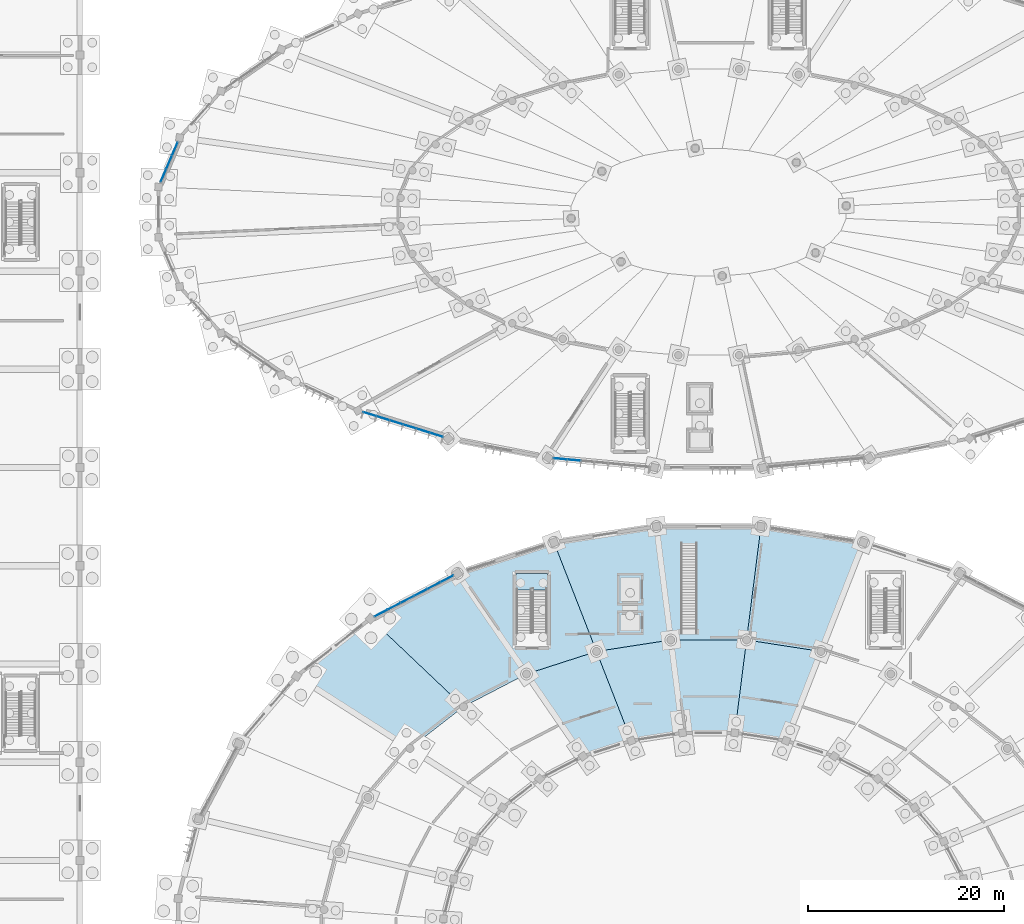
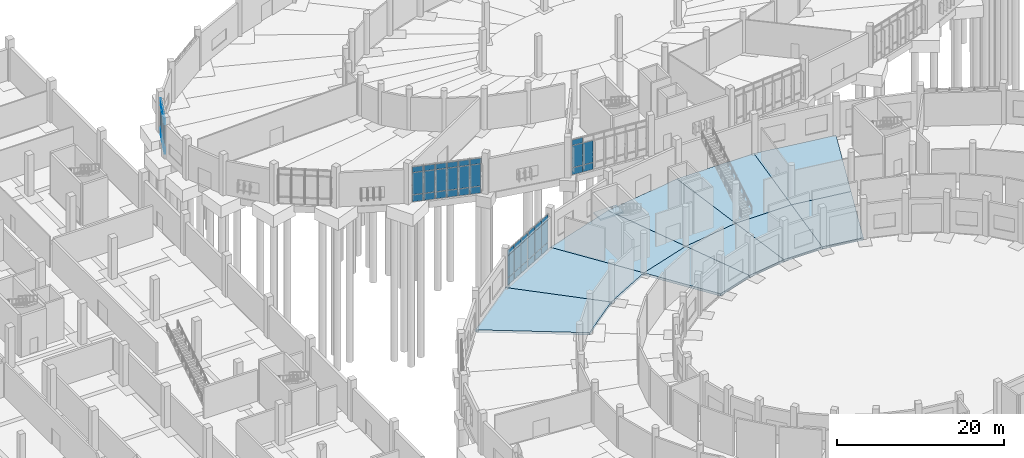
# One storey, part 60 of 140: 50 plates, 11 slabs, 5 elements without a shape of their own.
"""IFC4 building model written with IfcOpenShell, lengths in metres."""

from ifc_helpers import new_model, si_unit, direction, frame, origin, origin_2d, place, context, subcontext, project, spatial, polyline, rectangle, outline, extrude, material, layer, layer_set, type_object, element, aggregate, save


model = new_model("IFC4")

# Units and contexts
model_context = context("Model", 3, precision=1e-05, world=origin(), true_north=direction((0.0, 1.0)))
body_context = subcontext(model_context, "Body", "Model", "MODEL_VIEW")
ifc_project = project(units=[si_unit("LENGTHUNIT", "METRE"), si_unit("AREAUNIT", "SQUARE_METRE"), si_unit("VOLUMEUNIT", "CUBIC_METRE"), si_unit("PLANEANGLEUNIT", "RADIAN"), si_unit("MASSUNIT", "GRAM", prefix="KILO")], contexts=[model_context])

# Site, building, storey
site_placement = place(None, origin())
site = spatial("IfcSite", under=ifc_project, at=site_placement, CompositionType="ELEMENT")
building_placement = place(site_placement, origin())
building = spatial("IfcBuilding", under=site, at=building_placement, Name="Corvandel Quay Wholesale Market", CompositionType="ELEMENT")
storey_placement = place(building_placement, origin())
storey = spatial("IfcBuildingStorey", under=building, at=storey_placement, Name="L00", CompositionType="ELEMENT", Elevation=0.0)

# Curtain wall, plates
ifc_material_1 = material(Name="Bronze anodised aluminium and low-E insulated glazing", Category="aluminium")
ifc_layer_1 = layer(ifc_material_1, 0.174072265625)
ifc_layer_set_1 = layer_set([ifc_layer_1], Name="Bronze anodised aluminium and low-E insulated glazing")
curtain_wall_type_1 = type_object("IfcCurtainWallType", Name="Stick Curtain Wall System CW17 H4530", PredefinedType="NOTDEFINED", material=ifc_layer_set_1)
curtain_wall_1_placement = place(storey_placement, origin())
curtain_wall_1 = element("IfcCurtainWall", 1, at=curtain_wall_1_placement, inside=storey, type_object=curtain_wall_type_1, Name="Curtain Wall CW-0103", PredefinedType="NOTDEFINED")
ifc_material_2 = material(Name="Solar-control low-E insulated glazing", Category="glass")
ifc_layer_2 = layer(ifc_material_2, 0.033935546875)
ifc_layer_set_2 = layer_set([ifc_layer_2], Name="Solar-control low-E insulated glazing")
plate_type_1 = type_object("IfcPlateType", Name="Acoustic Laminated Vision Panel PN02 34mm", PredefinedType="CURTAIN_PANEL", material=ifc_layer_set_2)
plate_1_placement = place(storey_placement, frame((59.651611328125, 122.416015625, 0.0322265625), z_axis=(0.0, 0.0, 1.0), x_axis=(0.393781484212, 0.919204081089, 0.0)))
plate_1 = element("IfcPlate", 2, at=plate_1_placement, type_object=plate_type_1, Name="Glazing Panel CW-0103-P00-0", PredefinedType="CURTAIN_PANEL", context=body_context, shape_type="SweptSolid", body=[
    extrude(rectangle(XDim=1.396484375, YDim=0.033935546875, at=origin_2d()), origin(), (0.0, 0.0, 1.0), 0.985107421875),
])
plate_2_placement = place(storey_placement, frame((59.651611328125, 122.416015625, 1.08251953125), z_axis=(0.0, 0.0, 1.0), x_axis=(0.393781484212, 0.919204081089, 0.0)))
plate_2 = element("IfcPlate", 3, at=plate_2_placement, type_object=plate_type_1, Name="Glazing Panel CW-0103-P00-1", PredefinedType="CURTAIN_PANEL", context=body_context, shape_type="SweptSolid", body=[
    extrude(rectangle(XDim=1.396484375, YDim=0.033935546875, at=origin_2d()), origin(), (0.0, 0.0, 1.0), 3.18505859375),
])
plate_3_placement = place(storey_placement, frame((59.075927734375, 121.072509765625, 0.0322265625), z_axis=(0.0, 0.0, 1.0), x_axis=(0.393781484212, 0.919204081089, 0.0)))
plate_3 = element("IfcPlate", 4, at=plate_3_placement, type_object=plate_type_1, Name="Glazing Panel CW-0103-P01-0", PredefinedType="CURTAIN_PANEL", context=body_context, shape_type="SweptSolid", body=[
    extrude(rectangle(XDim=1.396484375, YDim=0.033935546875, at=origin_2d()), origin(), (0.0, 0.0, 1.0), 0.985107421875),
])
plate_4_placement = place(storey_placement, frame((59.075927734375, 121.072509765625, 1.08251953125), z_axis=(0.0, 0.0, 1.0), x_axis=(0.393781484212, 0.919204081089, 0.0)))
plate_4 = element("IfcPlate", 5, at=plate_4_placement, type_object=plate_type_1, Name="Glazing Panel CW-0103-P01-1", PredefinedType="CURTAIN_PANEL", context=body_context, shape_type="SweptSolid", body=[
    extrude(rectangle(XDim=1.396484375, YDim=0.033935546875, at=origin_2d()), origin(), (0.0, 0.0, 1.0), 3.18505859375),
])
plate_5_placement = place(storey_placement, frame((58.50048828125, 119.72900390625, 0.0322265625), z_axis=(0.0, 0.0, 1.0), x_axis=(0.393781484212, 0.919204081089, 0.0)))
plate_5 = element("IfcPlate", 6, at=plate_5_placement, type_object=plate_type_1, Name="Glazing Panel CW-0103-P02-0", PredefinedType="CURTAIN_PANEL", context=body_context, shape_type="SweptSolid", body=[
    extrude(rectangle(XDim=1.396484375, YDim=0.033935546875, at=origin_2d()), origin(), (0.0, 0.0, 1.0), 0.985107421875),
])
plate_6_placement = place(storey_placement, frame((58.50048828125, 119.72900390625, 1.08251953125), z_axis=(0.0, 0.0, 1.0), x_axis=(0.393781484212, 0.919204081089, 0.0)))
plate_6 = element("IfcPlate", 7, at=plate_6_placement, type_object=plate_type_1, Name="Glazing Panel CW-0103-P02-1", PredefinedType="CURTAIN_PANEL", context=body_context, shape_type="SweptSolid", body=[
    extrude(rectangle(XDim=1.396484375, YDim=0.033935546875, at=origin_2d()), origin(), (0.0, 0.0, 1.0), 3.18505859375),
])

ifc_layer_3 = layer(ifc_material_1, 0.18603515625)
ifc_layer_set_3 = layer_set([ifc_layer_3], Name="Bronze anodised aluminium and low-E insulated glazing")
curtain_wall_type_2 = type_object("IfcCurtainWallType", Name="Stick Curtain Wall System CW23 H5070", PredefinedType="NOTDEFINED", material=ifc_layer_set_3)
curtain_wall_2_placement = place(storey_placement, origin())
curtain_wall_2 = element("IfcCurtainWall", 8, at=curtain_wall_2_placement, inside=storey, type_object=curtain_wall_type_2, Name="Curtain Wall CW-0108", PredefinedType="NOTDEFINED")
plate_7_placement = place(storey_placement, frame((79.49609375, 95.43359375, 0.0322265625), z_axis=(0.0, 0.0, 1.0), x_axis=(-0.955123398809, 0.296208192067, 0.0)))
plate_7 = element("IfcPlate", 9, at=plate_7_placement, type_object=plate_type_1, Name="Glazing Panel CW-0108-P00-0", PredefinedType="CURTAIN_PANEL", context=body_context, shape_type="SweptSolid", body=[
    extrude(rectangle(XDim=1.35546875, YDim=0.033935546875, at=origin_2d()), origin(), (0.0, 0.0, 1.0), 0.985107421875),
])
plate_8_placement = place(storey_placement, frame((79.49609375, 95.43359375, 1.08251953125), z_axis=(0.0, 0.0, 1.0), x_axis=(-0.955123398809, 0.296208192067, 0.0)))
plate_8 = element("IfcPlate", 10, at=plate_8_placement, type_object=plate_type_1, Name="Glazing Panel CW-0108-P00-1", PredefinedType="CURTAIN_PANEL", context=body_context, shape_type="SweptSolid", body=[
    extrude(rectangle(XDim=1.35546875, YDim=0.033935546875, at=origin_2d()), origin(), (0.0, 0.0, 1.0), 3.18505859375),
])
plate_9_placement = place(storey_placement, frame((80.852783203125, 95.0126953125, 0.0322265625), z_axis=(0.0, 0.0, 1.0), x_axis=(-0.955123398809, 0.296208192067, 0.0)))
plate_9 = element("IfcPlate", 11, at=plate_9_placement, type_object=plate_type_1, Name="Glazing Panel CW-0108-P01-0", PredefinedType="CURTAIN_PANEL", context=body_context, shape_type="SweptSolid", body=[
    extrude(rectangle(XDim=1.35546875, YDim=0.033935546875, at=origin_2d()), origin(), (0.0, 0.0, 1.0), 0.985107421875),
])
plate_10_placement = place(storey_placement, frame((80.852783203125, 95.0126953125, 1.08251953125), z_axis=(0.0, 0.0, 1.0), x_axis=(-0.955123398809, 0.296208192067, 0.0)))
plate_10 = element("IfcPlate", 12, at=plate_10_placement, type_object=plate_type_1, Name="Glazing Panel CW-0108-P01-1", PredefinedType="CURTAIN_PANEL", context=body_context, shape_type="SweptSolid", body=[
    extrude(rectangle(XDim=1.35546875, YDim=0.033935546875, at=origin_2d()), origin(), (0.0, 0.0, 1.0), 3.18505859375),
])
plate_11_placement = place(storey_placement, frame((82.209716796875, 94.591796875, 0.0322265625), z_axis=(0.0, 0.0, 1.0), x_axis=(-0.955123398809, 0.296208192067, 0.0)))
plate_11 = element("IfcPlate", 13, at=plate_11_placement, type_object=plate_type_1, Name="Glazing Panel CW-0108-P02-0", PredefinedType="CURTAIN_PANEL", context=body_context, shape_type="SweptSolid", body=[
    extrude(rectangle(XDim=1.35546875, YDim=0.033935546875, at=origin_2d()), origin(), (0.0, 0.0, 1.0), 0.985107421875),
])
plate_12_placement = place(storey_placement, frame((82.209716796875, 94.591796875, 1.08251953125), z_axis=(0.0, 0.0, 1.0), x_axis=(-0.955123398809, 0.296208192067, 0.0)))
plate_12 = element("IfcPlate", 14, at=plate_12_placement, type_object=plate_type_1, Name="Glazing Panel CW-0108-P02-1", PredefinedType="CURTAIN_PANEL", context=body_context, shape_type="SweptSolid", body=[
    extrude(rectangle(XDim=1.35546875, YDim=0.033935546875, at=origin_2d()), origin(), (0.0, 0.0, 1.0), 3.18505859375),
])
plate_13_placement = place(storey_placement, frame((83.56640625, 94.171142578125, 0.0322265625), z_axis=(0.0, 0.0, 1.0), x_axis=(-0.955123398809, 0.296208192067, 0.0)))
plate_13 = element("IfcPlate", 15, at=plate_13_placement, type_object=plate_type_1, Name="Glazing Panel CW-0108-P03-0", PredefinedType="CURTAIN_PANEL", context=body_context, shape_type="SweptSolid", body=[
    extrude(rectangle(XDim=1.35546875, YDim=0.033935546875, at=origin_2d()), origin(), (0.0, 0.0, 1.0), 0.985107421875),
])
plate_14_placement = place(storey_placement, frame((83.56640625, 94.171142578125, 1.08251953125), z_axis=(0.0, 0.0, 1.0), x_axis=(-0.955123398809, 0.296208192067, 0.0)))
plate_14 = element("IfcPlate", 16, at=plate_14_placement, type_object=plate_type_1, Name="Glazing Panel CW-0108-P03-1", PredefinedType="CURTAIN_PANEL", context=body_context, shape_type="SweptSolid", body=[
    extrude(rectangle(XDim=1.35546875, YDim=0.033935546875, at=origin_2d()), origin(), (0.0, 0.0, 1.0), 3.18505859375),
])
plate_15_placement = place(storey_placement, frame((84.923095703125, 93.750244140625, 0.0322265625), z_axis=(0.0, 0.0, 1.0), x_axis=(-0.955123398809, 0.296208192067, 0.0)))
plate_15 = element("IfcPlate", 17, at=plate_15_placement, type_object=plate_type_1, Name="Glazing Panel CW-0108-P04-0", PredefinedType="CURTAIN_PANEL", context=body_context, shape_type="SweptSolid", body=[
    extrude(rectangle(XDim=1.35546875, YDim=0.033935546875, at=origin_2d()), origin(), (0.0, 0.0, 1.0), 0.985107421875),
])
plate_16_placement = place(storey_placement, frame((84.923095703125, 93.750244140625, 1.08251953125), z_axis=(0.0, 0.0, 1.0), x_axis=(-0.955123398809, 0.296208192067, 0.0)))
plate_16 = element("IfcPlate", 18, at=plate_16_placement, type_object=plate_type_1, Name="Glazing Panel CW-0108-P04-1", PredefinedType="CURTAIN_PANEL", context=body_context, shape_type="SweptSolid", body=[
    extrude(rectangle(XDim=1.35546875, YDim=0.033935546875, at=origin_2d()), origin(), (0.0, 0.0, 1.0), 3.18505859375),
])
plate_17_placement = place(storey_placement, frame((86.27978515625, 93.329345703125, 0.0322265625), z_axis=(0.0, 0.0, 1.0), x_axis=(-0.955123398809, 0.296208192067, 0.0)))
plate_17 = element("IfcPlate", 19, at=plate_17_placement, type_object=plate_type_1, Name="Glazing Panel CW-0108-P05-0", PredefinedType="CURTAIN_PANEL", context=body_context, shape_type="SweptSolid", body=[
    extrude(rectangle(XDim=1.35546875, YDim=0.033935546875, at=origin_2d()), origin(), (0.0, 0.0, 1.0), 0.985107421875),
])
plate_18_placement = place(storey_placement, frame((86.27978515625, 93.329345703125, 1.08251953125), z_axis=(0.0, 0.0, 1.0), x_axis=(-0.955123398809, 0.296208192067, 0.0)))
plate_18 = element("IfcPlate", 20, at=plate_18_placement, type_object=plate_type_1, Name="Glazing Panel CW-0108-P05-1", PredefinedType="CURTAIN_PANEL", context=body_context, shape_type="SweptSolid", body=[
    extrude(rectangle(XDim=1.35546875, YDim=0.033935546875, at=origin_2d()), origin(), (0.0, 0.0, 1.0), 3.18505859375),
])

ifc_layer_4 = layer(ifc_material_1, 0.14990234375)
ifc_layer_set_4 = layer_set([ifc_layer_4], Name="Bronze anodised aluminium and low-E insulated glazing")
curtain_wall_type_3 = type_object("IfcCurtainWallType", Name="Stick Curtain Wall System CW25 H5250", PredefinedType="NOTDEFINED", material=ifc_layer_set_4)
curtain_wall_3_placement = place(storey_placement, origin())
curtain_wall_3 = element("IfcCurtainWall", 21, at=curtain_wall_3_placement, inside=storey, type_object=curtain_wall_type_3, Name="Curtain Wall CW-0112", PredefinedType="NOTDEFINED")
plate_19_placement = place(storey_placement, frame((98.898681640625, 90.885009765625, 0.0322265625), z_axis=(0.0, 0.0, 1.0), x_axis=(-0.995756880939, 0.092023008338, 0.0)))
plate_19 = element("IfcPlate", 22, at=plate_19_placement, type_object=plate_type_1, Name="Glazing Panel CW-0112-P00-0", PredefinedType="CURTAIN_PANEL", context=body_context, shape_type="SweptSolid", body=[
    extrude(rectangle(XDim=1.3330078125, YDim=0.033935546875, at=origin_2d()), origin(), (0.0, 0.0, 1.0), 0.985107421875),
])
plate_20_placement = place(storey_placement, frame((98.898681640625, 90.885009765625, 1.08251953125), z_axis=(0.0, 0.0, 1.0), x_axis=(-0.995756880939, 0.092023008338, 0.0)))
plate_20 = element("IfcPlate", 23, at=plate_20_placement, type_object=plate_type_1, Name="Glazing Panel CW-0112-P00-1", PredefinedType="CURTAIN_PANEL", context=body_context, shape_type="SweptSolid", body=[
    extrude(rectangle(XDim=1.3330078125, YDim=0.033935546875, at=origin_2d()), origin(), (0.0, 0.0, 1.0), 3.18505859375),
])
plate_21_placement = place(storey_placement, frame((100.29052734375, 90.756591796875, 0.0322265625), z_axis=(0.0, 0.0, 1.0), x_axis=(-0.995756880939, 0.092023008338, 0.0)))
plate_21 = element("IfcPlate", 24, at=plate_21_placement, type_object=plate_type_1, Name="Glazing Panel CW-0112-P01-0", PredefinedType="CURTAIN_PANEL", context=body_context, shape_type="SweptSolid", body=[
    extrude(rectangle(XDim=1.3330078125, YDim=0.033935546875, at=origin_2d()), origin(), (0.0, 0.0, 1.0), 0.985107421875),
])
plate_22_placement = place(storey_placement, frame((100.29052734375, 90.756591796875, 1.08251953125), z_axis=(0.0, 0.0, 1.0), x_axis=(-0.995756880939, 0.092023008338, 0.0)))
plate_22 = element("IfcPlate", 25, at=plate_22_placement, type_object=plate_type_1, Name="Glazing Panel CW-0112-P01-1", PredefinedType="CURTAIN_PANEL", context=body_context, shape_type="SweptSolid", body=[
    extrude(rectangle(XDim=1.3330078125, YDim=0.033935546875, at=origin_2d()), origin(), (0.0, 0.0, 1.0), 3.18505859375),
])

ifc_layer_5 = layer(ifc_material_1, 0.162109375)
ifc_layer_set_5 = layer_set([ifc_layer_5], Name="Bronze anodised aluminium and low-E insulated glazing")
curtain_wall_type_4 = type_object("IfcCurtainWallType", Name="Stick Curtain Wall System CW11 H3990", PredefinedType="NOTDEFINED", material=ifc_layer_set_5)
curtain_wall_4_placement = place(storey_placement, origin())
curtain_wall_4 = element("IfcCurtainWall", 26, at=curtain_wall_4_placement, inside=storey, type_object=curtain_wall_type_4, Name="Curtain Wall CW-0030", PredefinedType="NOTDEFINED")
ifc_layer_6 = layer(ifc_material_2, 0.0400390625)
ifc_layer_set_6 = layer_set([ifc_layer_6], Name="Solar-control low-E insulated glazing")
plate_type_2 = type_object("IfcPlateType", Name="Ceramic Fritted Spandrel Panel PN03 40mm", PredefinedType="CURTAIN_PANEL", material=ifc_layer_set_6)
plate_23_placement = place(storey_placement, frame((87.351318359375, 78.6640625, 4.33251953125), z_axis=(0.0, 0.0, 1.0), x_axis=(0.887332978338, 0.461129250378, 0.0)))
plate_23 = element("IfcPlate", 27, at=plate_23_placement, type_object=plate_type_2, Name="Glazing Panel CW-0030-P00-2", PredefinedType="CURTAIN_PANEL", context=body_context, shape_type="SweptSolid", body=[
    extrude(rectangle(XDim=1.4462890625, YDim=0.0400390625, at=origin_2d()), origin(), (0.0, 0.0, 1.0), 0.784912109375),
])
plate_24_placement = place(storey_placement, frame((86.01025390625, 77.96728515625, 4.33251953125), z_axis=(0.0, 0.0, 1.0), x_axis=(0.887332978338, 0.461129250378, 0.0)))
plate_24 = element("IfcPlate", 28, at=plate_24_placement, type_object=plate_type_2, Name="Glazing Panel CW-0030-P01-2", PredefinedType="CURTAIN_PANEL", context=body_context, shape_type="SweptSolid", body=[
    extrude(rectangle(XDim=1.4462890625, YDim=0.0400390625, at=origin_2d()), origin(), (0.0, 0.0, 1.0), 0.784912109375),
])
plate_25_placement = place(storey_placement, frame((84.66943359375, 77.2705078125, 4.33251953125), z_axis=(0.0, 0.0, 1.0), x_axis=(0.887332978338, 0.461129250378, 0.0)))
plate_25 = element("IfcPlate", 29, at=plate_25_placement, type_object=plate_type_2, Name="Glazing Panel CW-0030-P02-2", PredefinedType="CURTAIN_PANEL", context=body_context, shape_type="SweptSolid", body=[
    extrude(rectangle(XDim=1.4462890625, YDim=0.0400390625, at=origin_2d()), origin(), (0.0, 0.0, 1.0), 0.784912109375),
])
plate_26_placement = place(storey_placement, frame((83.32861328125, 76.573486328125, 4.33251953125), z_axis=(0.0, 0.0, 1.0), x_axis=(0.887332978338, 0.461129250378, 0.0)))
plate_26 = element("IfcPlate", 30, at=plate_26_placement, type_object=plate_type_2, Name="Glazing Panel CW-0030-P03-2", PredefinedType="CURTAIN_PANEL", context=body_context, shape_type="SweptSolid", body=[
    extrude(rectangle(XDim=1.4462890625, YDim=0.0400390625, at=origin_2d()), origin(), (0.0, 0.0, 1.0), 0.784912109375),
])
plate_27_placement = place(storey_placement, frame((81.98779296875, 75.876708984375, 4.33251953125), z_axis=(0.0, 0.0, 1.0), x_axis=(0.887332978338, 0.461129250378, 0.0)))
plate_27 = element("IfcPlate", 31, at=plate_27_placement, type_object=plate_type_2, Name="Glazing Panel CW-0030-P04-2", PredefinedType="CURTAIN_PANEL", context=body_context, shape_type="SweptSolid", body=[
    extrude(rectangle(XDim=1.4462890625, YDim=0.0400390625, at=origin_2d()), origin(), (0.0, 0.0, 1.0), 0.784912109375),
])
plate_28_placement = place(storey_placement, frame((80.646728515625, 75.179931640625, 4.33251953125), z_axis=(0.0, 0.0, 1.0), x_axis=(0.887332978338, 0.461129250378, 0.0)))
plate_28 = element("IfcPlate", 32, at=plate_28_placement, type_object=plate_type_2, Name="Glazing Panel CW-0030-P05-2", PredefinedType="CURTAIN_PANEL", context=body_context, shape_type="SweptSolid", body=[
    extrude(rectangle(XDim=1.4462890625, YDim=0.0400390625, at=origin_2d()), origin(), (0.0, 0.0, 1.0), 0.784912109375),
])

# Plate
plate_29_placement = place(storey_placement, frame((59.651611328125, 122.416015625, 4.33251953125), z_axis=(0.0, 0.0, 1.0), x_axis=(0.393781484212, 0.919204081089, 0.0)))
plate_29 = element("IfcPlate", 33, at=plate_29_placement, type_object=plate_type_2, Name="Glazing Panel CW-0103-P00-2", PredefinedType="CURTAIN_PANEL", context=body_context, shape_type="SweptSolid", body=[
    extrude(rectangle(XDim=1.396484375, YDim=0.0400390625, at=origin_2d()), origin(), (0.0, 0.0, 1.0), 0.784912109375),
])

plate_30_placement = place(storey_placement, frame((59.075927734375, 121.072509765625, 4.33251953125), z_axis=(0.0, 0.0, 1.0), x_axis=(0.393781484212, 0.919204081089, 0.0)))
plate_30 = element("IfcPlate", 34, at=plate_30_placement, type_object=plate_type_2, Name="Glazing Panel CW-0103-P01-2", PredefinedType="CURTAIN_PANEL", context=body_context, shape_type="SweptSolid", body=[
    extrude(rectangle(XDim=1.396484375, YDim=0.0400390625, at=origin_2d()), origin(), (0.0, 0.0, 1.0), 0.784912109375),
])

plate_31_placement = place(storey_placement, frame((58.50048828125, 119.72900390625, 4.33251953125), z_axis=(0.0, 0.0, 1.0), x_axis=(0.393781484212, 0.919204081089, 0.0)))
plate_31 = element("IfcPlate", 35, at=plate_31_placement, type_object=plate_type_2, Name="Glazing Panel CW-0103-P02-2", PredefinedType="CURTAIN_PANEL", context=body_context, shape_type="SweptSolid", body=[
    extrude(rectangle(XDim=1.396484375, YDim=0.0400390625, at=origin_2d()), origin(), (0.0, 0.0, 1.0), 0.784912109375),
])

aggregate(curtain_wall_1, [plate_1, plate_2, plate_29, plate_3, plate_4, plate_30, plate_5, plate_6, plate_31])

plate_32_placement = place(storey_placement, frame((79.49609375, 95.43359375, 4.33251953125), z_axis=(0.0, 0.0, 1.0), x_axis=(-0.955123398809, 0.296208192067, 0.0)))
plate_32 = element("IfcPlate", 36, at=plate_32_placement, type_object=plate_type_2, Name="Glazing Panel CW-0108-P00-2", PredefinedType="CURTAIN_PANEL", context=body_context, shape_type="SweptSolid", body=[
    extrude(rectangle(XDim=1.35546875, YDim=0.0400390625, at=origin_2d()), origin(), (0.0, 0.0, 1.0), 0.784912109375),
])

plate_33_placement = place(storey_placement, frame((80.852783203125, 95.0126953125, 4.33251953125), z_axis=(0.0, 0.0, 1.0), x_axis=(-0.955123398809, 0.296208192067, 0.0)))
plate_33 = element("IfcPlate", 37, at=plate_33_placement, type_object=plate_type_2, Name="Glazing Panel CW-0108-P01-2", PredefinedType="CURTAIN_PANEL", context=body_context, shape_type="SweptSolid", body=[
    extrude(rectangle(XDim=1.35546875, YDim=0.0400390625, at=origin_2d()), origin(), (0.0, 0.0, 1.0), 0.784912109375),
])

plate_34_placement = place(storey_placement, frame((82.209716796875, 94.591796875, 4.33251953125), z_axis=(0.0, 0.0, 1.0), x_axis=(-0.955123398809, 0.296208192067, 0.0)))
plate_34 = element("IfcPlate", 38, at=plate_34_placement, type_object=plate_type_2, Name="Glazing Panel CW-0108-P02-2", PredefinedType="CURTAIN_PANEL", context=body_context, shape_type="SweptSolid", body=[
    extrude(rectangle(XDim=1.35546875, YDim=0.0400390625, at=origin_2d()), origin(), (0.0, 0.0, 1.0), 0.784912109375),
])

plate_35_placement = place(storey_placement, frame((83.56640625, 94.171142578125, 4.33251953125), z_axis=(0.0, 0.0, 1.0), x_axis=(-0.955123398809, 0.296208192067, 0.0)))
plate_35 = element("IfcPlate", 39, at=plate_35_placement, type_object=plate_type_2, Name="Glazing Panel CW-0108-P03-2", PredefinedType="CURTAIN_PANEL", context=body_context, shape_type="SweptSolid", body=[
    extrude(rectangle(XDim=1.35546875, YDim=0.0400390625, at=origin_2d()), origin(), (0.0, 0.0, 1.0), 0.784912109375),
])

plate_36_placement = place(storey_placement, frame((84.923095703125, 93.750244140625, 4.33251953125), z_axis=(0.0, 0.0, 1.0), x_axis=(-0.955123398809, 0.296208192067, 0.0)))
plate_36 = element("IfcPlate", 40, at=plate_36_placement, type_object=plate_type_2, Name="Glazing Panel CW-0108-P04-2", PredefinedType="CURTAIN_PANEL", context=body_context, shape_type="SweptSolid", body=[
    extrude(rectangle(XDim=1.35546875, YDim=0.0400390625, at=origin_2d()), origin(), (0.0, 0.0, 1.0), 0.784912109375),
])

plate_37_placement = place(storey_placement, frame((86.27978515625, 93.329345703125, 4.33251953125), z_axis=(0.0, 0.0, 1.0), x_axis=(-0.955123398809, 0.296208192067, 0.0)))
plate_37 = element("IfcPlate", 41, at=plate_37_placement, type_object=plate_type_2, Name="Glazing Panel CW-0108-P05-2", PredefinedType="CURTAIN_PANEL", context=body_context, shape_type="SweptSolid", body=[
    extrude(rectangle(XDim=1.35546875, YDim=0.0400390625, at=origin_2d()), origin(), (0.0, 0.0, 1.0), 0.784912109375),
])

aggregate(curtain_wall_2, [plate_7, plate_8, plate_32, plate_9, plate_10, plate_33, plate_11, plate_12, plate_34, plate_13, plate_14, plate_35, plate_15, plate_16, plate_36, plate_17, plate_18, plate_37])

plate_38_placement = place(storey_placement, frame((98.898681640625, 90.885009765625, 4.33251953125), z_axis=(0.0, 0.0, 1.0), x_axis=(-0.995756880939, 0.092023008338, 0.0)))
plate_38 = element("IfcPlate", 42, at=plate_38_placement, type_object=plate_type_2, Name="Glazing Panel CW-0112-P00-2", PredefinedType="CURTAIN_PANEL", context=body_context, shape_type="SweptSolid", body=[
    extrude(rectangle(XDim=1.3330078125, YDim=0.0400390625, at=origin_2d()), origin(), (0.0, 0.0, 1.0), 0.784912109375),
])

aggregate(curtain_wall_3, [plate_19, plate_20, plate_38, plate_21, plate_22])

ifc_layer_7 = layer(ifc_material_2, 0.028076171875)
ifc_layer_set_7 = layer_set([ifc_layer_7], Name="Solar-control low-E insulated glazing")
plate_type_3 = type_object("IfcPlateType", Name="Double Low-E Vision Panel PN01 28mm", PredefinedType="CURTAIN_PANEL", material=ifc_layer_set_7)
plate_39_placement = place(storey_placement, frame((87.351318359375, 78.6640625, 0.0322265625), z_axis=(0.0, 0.0, 1.0), x_axis=(0.887332978338, 0.461129250378, 0.0)))
plate_39 = element("IfcPlate", 43, at=plate_39_placement, type_object=plate_type_3, Name="Glazing Panel CW-0030-P00-0", PredefinedType="CURTAIN_PANEL", context=body_context, shape_type="SweptSolid", body=[
    extrude(rectangle(XDim=1.4462890625, YDim=0.028076171875, at=origin_2d()), origin(), (0.0, 0.0, 1.0), 0.985107421875),
])

plate_40_placement = place(storey_placement, frame((87.351318359375, 78.6640625, 1.08251953125), z_axis=(0.0, 0.0, 1.0), x_axis=(0.887332978338, 0.461129250378, 0.0)))
plate_40 = element("IfcPlate", 44, at=plate_40_placement, type_object=plate_type_3, Name="Glazing Panel CW-0030-P00-1", PredefinedType="CURTAIN_PANEL", context=body_context, shape_type="SweptSolid", body=[
    extrude(rectangle(XDim=1.4462890625, YDim=0.028076171875, at=origin_2d()), origin(), (0.0, 0.0, 1.0), 3.18505859375),
])

plate_41_placement = place(storey_placement, frame((86.01025390625, 77.96728515625, 0.0322265625), z_axis=(0.0, 0.0, 1.0), x_axis=(0.887332978338, 0.461129250378, 0.0)))
plate_41 = element("IfcPlate", 45, at=plate_41_placement, type_object=plate_type_3, Name="Glazing Panel CW-0030-P01-0", PredefinedType="CURTAIN_PANEL", context=body_context, shape_type="SweptSolid", body=[
    extrude(rectangle(XDim=1.4462890625, YDim=0.028076171875, at=origin_2d()), origin(), (0.0, 0.0, 1.0), 0.985107421875),
])

plate_42_placement = place(storey_placement, frame((86.01025390625, 77.96728515625, 1.08251953125), z_axis=(0.0, 0.0, 1.0), x_axis=(0.887332978338, 0.461129250378, 0.0)))
plate_42 = element("IfcPlate", 46, at=plate_42_placement, type_object=plate_type_3, Name="Glazing Panel CW-0030-P01-1", PredefinedType="CURTAIN_PANEL", context=body_context, shape_type="SweptSolid", body=[
    extrude(rectangle(XDim=1.4462890625, YDim=0.028076171875, at=origin_2d()), origin(), (0.0, 0.0, 1.0), 3.18505859375),
])

plate_43_placement = place(storey_placement, frame((84.66943359375, 77.2705078125, 0.0322265625), z_axis=(0.0, 0.0, 1.0), x_axis=(0.887332978338, 0.461129250378, 0.0)))
plate_43 = element("IfcPlate", 47, at=plate_43_placement, type_object=plate_type_3, Name="Glazing Panel CW-0030-P02-0", PredefinedType="CURTAIN_PANEL", context=body_context, shape_type="SweptSolid", body=[
    extrude(rectangle(XDim=1.4462890625, YDim=0.028076171875, at=origin_2d()), origin(), (0.0, 0.0, 1.0), 0.985107421875),
])

plate_44_placement = place(storey_placement, frame((84.66943359375, 77.2705078125, 1.08251953125), z_axis=(0.0, 0.0, 1.0), x_axis=(0.887332978338, 0.461129250378, 0.0)))
plate_44 = element("IfcPlate", 48, at=plate_44_placement, type_object=plate_type_3, Name="Glazing Panel CW-0030-P02-1", PredefinedType="CURTAIN_PANEL", context=body_context, shape_type="SweptSolid", body=[
    extrude(rectangle(XDim=1.4462890625, YDim=0.028076171875, at=origin_2d()), origin(), (0.0, 0.0, 1.0), 3.18505859375),
])

plate_45_placement = place(storey_placement, frame((83.32861328125, 76.573486328125, 0.0322265625), z_axis=(0.0, 0.0, 1.0), x_axis=(0.887332978338, 0.461129250378, 0.0)))
plate_45 = element("IfcPlate", 49, at=plate_45_placement, type_object=plate_type_3, Name="Glazing Panel CW-0030-P03-0", PredefinedType="CURTAIN_PANEL", context=body_context, shape_type="SweptSolid", body=[
    extrude(rectangle(XDim=1.4462890625, YDim=0.028076171875, at=origin_2d()), origin(), (0.0, 0.0, 1.0), 0.985107421875),
])

plate_46_placement = place(storey_placement, frame((83.32861328125, 76.573486328125, 1.08251953125), z_axis=(0.0, 0.0, 1.0), x_axis=(0.887332978338, 0.461129250378, 0.0)))
plate_46 = element("IfcPlate", 50, at=plate_46_placement, type_object=plate_type_3, Name="Glazing Panel CW-0030-P03-1", PredefinedType="CURTAIN_PANEL", context=body_context, shape_type="SweptSolid", body=[
    extrude(rectangle(XDim=1.4462890625, YDim=0.028076171875, at=origin_2d()), origin(), (0.0, 0.0, 1.0), 3.18505859375),
])

plate_47_placement = place(storey_placement, frame((81.98779296875, 75.876708984375, 0.0322265625), z_axis=(0.0, 0.0, 1.0), x_axis=(0.887332978338, 0.461129250378, 0.0)))
plate_47 = element("IfcPlate", 51, at=plate_47_placement, type_object=plate_type_3, Name="Glazing Panel CW-0030-P04-0", PredefinedType="CURTAIN_PANEL", context=body_context, shape_type="SweptSolid", body=[
    extrude(rectangle(XDim=1.4462890625, YDim=0.028076171875, at=origin_2d()), origin(), (0.0, 0.0, 1.0), 0.985107421875),
])

plate_48_placement = place(storey_placement, frame((81.98779296875, 75.876708984375, 1.08251953125), z_axis=(0.0, 0.0, 1.0), x_axis=(0.887332978338, 0.461129250378, 0.0)))
plate_48 = element("IfcPlate", 52, at=plate_48_placement, type_object=plate_type_3, Name="Glazing Panel CW-0030-P04-1", PredefinedType="CURTAIN_PANEL", context=body_context, shape_type="SweptSolid", body=[
    extrude(rectangle(XDim=1.4462890625, YDim=0.028076171875, at=origin_2d()), origin(), (0.0, 0.0, 1.0), 3.18505859375),
])

plate_49_placement = place(storey_placement, frame((80.646728515625, 75.179931640625, 0.0322265625), z_axis=(0.0, 0.0, 1.0), x_axis=(0.887332978338, 0.461129250378, 0.0)))
plate_49 = element("IfcPlate", 53, at=plate_49_placement, type_object=plate_type_3, Name="Glazing Panel CW-0030-P05-0", PredefinedType="CURTAIN_PANEL", context=body_context, shape_type="SweptSolid", body=[
    extrude(rectangle(XDim=1.4462890625, YDim=0.028076171875, at=origin_2d()), origin(), (0.0, 0.0, 1.0), 0.985107421875),
])

plate_50_placement = place(storey_placement, frame((80.646728515625, 75.179931640625, 1.08251953125), z_axis=(0.0, 0.0, 1.0), x_axis=(0.887332978338, 0.461129250378, 0.0)))
plate_50 = element("IfcPlate", 54, at=plate_50_placement, type_object=plate_type_3, Name="Glazing Panel CW-0030-P05-1", PredefinedType="CURTAIN_PANEL", context=body_context, shape_type="SweptSolid", body=[
    extrude(rectangle(XDim=1.4462890625, YDim=0.028076171875, at=origin_2d()), origin(), (0.0, 0.0, 1.0), 3.18505859375),
])

aggregate(curtain_wall_4, [plate_39, plate_40, plate_23, plate_41, plate_42, plate_24, plate_43, plate_44, plate_25, plate_45, plate_46, plate_26, plate_47, plate_48, plate_27, plate_49, plate_50, plate_28])

# Slabs
ifc_material_3 = material(Name="Concrete C40/50", Category="concrete")
ifc_layer_8 = layer(ifc_material_3, 0.35009765625)
ifc_layer_set_8 = layer_set([ifc_layer_8], Name="Concrete C40/50")
slab_type_1 = type_object("IfcSlabType", Name="Ground Bearing Base Slab 350", PredefinedType="BASESLAB", material=ifc_layer_set_8)
slab_1_placement = place(storey_placement, frame((0.0, 0.0, -0.35009765625)))
element("IfcSlab", 55, at=slab_1_placement, inside=storey, type_object=slab_type_1, Name="Slab SLB-0032", PredefinedType="BASESLAB", context=body_context, shape_type="SweptSolid", body=[
    extrude(outline(polyline([(129.7509765625, 82.385986328125), (119.319091796875, 84.0), (117.85595703125, 72.449951171875), (125.419921875, 71.280029296875), (129.7509765625, 82.385986328125)])), origin(), (0.0, 0.0, 1.0), 0.35009765625),
])
slab_2_placement = place(storey_placement, frame((0.0, 0.0, -0.35009765625)))
element("IfcSlab", 56, at=slab_2_placement, inside=storey, type_object=slab_type_1, Name="Slab SLB-0033", PredefinedType="BASESLAB", context=body_context, shape_type="SweptSolid", body=[
    extrude(outline(polyline([(125.419921875, 71.280029296875), (117.85595703125, 72.449951171875), (116.658935546875, 63.0), (121.8759765625, 62.193115234375), (125.419921875, 71.280029296875)])), origin(), (0.0, 0.0, 1.0), 0.35009765625),
])
slab_3_placement = place(storey_placement, frame((0.0, 0.0, -0.35009765625)))
element("IfcSlab", 57, at=slab_3_placement, inside=storey, type_object=slab_type_1, Name="Slab SLB-0037", PredefinedType="BASESLAB", context=body_context, shape_type="SweptSolid", body=[
    extrude(outline(polyline([(119.319091796875, 84.0), (108.680908203125, 84.0), (110.14404296875, 72.449951171875), (117.85595703125, 72.449951171875), (119.319091796875, 84.0)])), origin(), (0.0, 0.0, 1.0), 0.35009765625),
])
slab_4_placement = place(storey_placement, frame((0.0, 0.0, -0.35009765625)))
element("IfcSlab", 58, at=slab_4_placement, inside=storey, type_object=slab_type_1, Name="Slab SLB-0038", PredefinedType="BASESLAB", context=body_context, shape_type="SweptSolid", body=[
    extrude(outline(polyline([(117.85595703125, 72.449951171875), (110.14404296875, 72.449951171875), (111.341064453125, 63.0), (116.658935546875, 63.0), (117.85595703125, 72.449951171875)])), origin(), (0.0, 0.0, 1.0), 0.35009765625),
])
slab_5_placement = place(storey_placement, frame((0.0, 0.0, -0.35009765625)))
element("IfcSlab", 59, at=slab_5_placement, inside=storey, type_object=slab_type_1, Name="Slab SLB-0042", PredefinedType="BASESLAB", context=body_context, shape_type="SweptSolid", body=[
    extrude(outline(polyline([(108.680908203125, 84.0), (98.2490234375, 82.385986328125), (102.580078125, 71.280029296875), (110.14404296875, 72.449951171875), (108.680908203125, 84.0)])), origin(), (0.0, 0.0, 1.0), 0.35009765625),
])
slab_6_placement = place(storey_placement, frame((0.0, 0.0, -0.35009765625)))
element("IfcSlab", 60, at=slab_6_placement, inside=storey, type_object=slab_type_1, Name="Slab SLB-0043", PredefinedType="BASESLAB", context=body_context, shape_type="SweptSolid", body=[
    extrude(outline(polyline([(110.14404296875, 72.449951171875), (102.580078125, 71.280029296875), (106.1240234375, 62.193115234375), (111.341064453125, 63.0), (110.14404296875, 72.449951171875)])), origin(), (0.0, 0.0, 1.0), 0.35009765625),
])
slab_7_placement = place(storey_placement, frame((0.0, 0.0, -0.35009765625)))
element("IfcSlab", 61, at=slab_7_placement, inside=storey, type_object=slab_type_1, Name="Slab SLB-0047", PredefinedType="BASESLAB", context=body_context, shape_type="SweptSolid", body=[
    extrude(outline(polyline([(98.2490234375, 82.385986328125), (88.4208984375, 79.219970703125), (95.4560546875, 68.98388671875), (102.580078125, 71.280029296875), (98.2490234375, 82.385986328125)])), origin(), (0.0, 0.0, 1.0), 0.35009765625),
])
slab_8_placement = place(storey_placement, frame((0.0, 0.0, -0.35009765625)))
element("IfcSlab", 62, at=slab_8_placement, inside=storey, type_object=slab_type_1, Name="Slab SLB-0048", PredefinedType="BASESLAB", context=body_context, shape_type="SweptSolid", body=[
    extrude(outline(polyline([(102.580078125, 71.280029296875), (95.4560546875, 68.98388671875), (101.2109375, 60.610107421875), (106.1240234375, 62.193115234375), (102.580078125, 71.280029296875)])), origin(), (0.0, 0.0, 1.0), 0.35009765625),
])
slab_9_placement = place(storey_placement, frame((0.0, 0.0, -0.35009765625)))
element("IfcSlab", 63, at=slab_9_placement, inside=storey, type_object=slab_type_1, Name="Slab SLB-0052", PredefinedType="BASESLAB", context=body_context, shape_type="SweptSolid", body=[
    extrude(outline(polyline([(88.4208984375, 79.219970703125), (79.576904296875, 74.6240234375), (89.04296875, 65.652099609375), (95.4560546875, 68.98388671875), (88.4208984375, 79.219970703125)])), origin(), (0.0, 0.0, 1.0), 0.35009765625),
])
slab_10_placement = place(storey_placement, frame((0.0, 0.0, -0.35009765625)))
element("IfcSlab", 64, at=slab_10_placement, inside=storey, type_object=slab_type_1, Name="Slab SLB-0057", PredefinedType="BASESLAB", context=body_context, shape_type="SweptSolid", body=[
    extrude(outline(polyline([(79.576904296875, 74.6240234375), (72.054931640625, 68.77294921875), (83.590087890625, 61.410888671875), (89.04296875, 65.652099609375), (79.576904296875, 74.6240234375)])), origin(), (0.0, 0.0, 1.0), 0.35009765625),
])

# Stair, slab
stair_type = type_object("IfcStairType", Name="Exit Stair Two-Return L00-L01 ST01", PredefinedType="USERDEFINED", material=ifc_material_3)
stair_placement = place(storey_placement, origin())
stair = element("IfcStair", 65, at=stair_placement, inside=storey, type_object=stair_type, Name="Exit Stair STR-001", ObjectType="TWO_RETURN_STAIR", PredefinedType="USERDEFINED")
ifc_layer_9 = layer(ifc_material_3, 0.219970703125)
ifc_layer_set_9 = layer_set([ifc_layer_9], Name="Concrete C40/50")
slab_type_2 = type_object("IfcSlabType", Name="Precast Stair Landing LND01 220", PredefinedType="LANDING", material=ifc_layer_set_9)
slab_11_placement = place(storey_placement, frame((0.0, 0.0, 2.780029296875)))
slab_11 = element("IfcSlab", 66, at=slab_11_placement, type_object=slab_type_2, Name="Stair Landing STR-001-LND", PredefinedType="LANDING", context=body_context, shape_type="SweptSolid", body=[
    extrude(outline(polyline([(94.409912109375, 77.530029296875), (97.590087890625, 77.530029296875), (97.590087890625, 79.239990234375), (94.409912109375, 79.239990234375), (94.409912109375, 77.530029296875)])), origin(), (0.0, 0.0, 1.0), 0.219970703125),
])
aggregate(stair, [slab_11])

save(model, "model.ifc")
